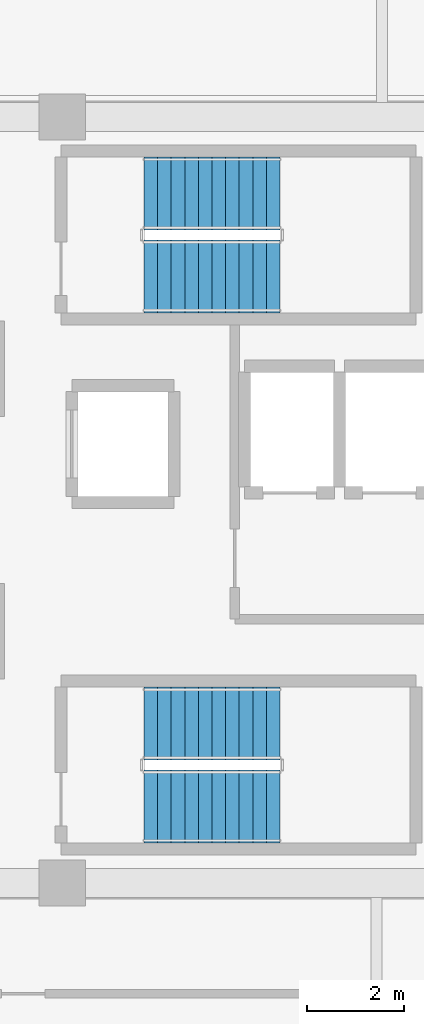
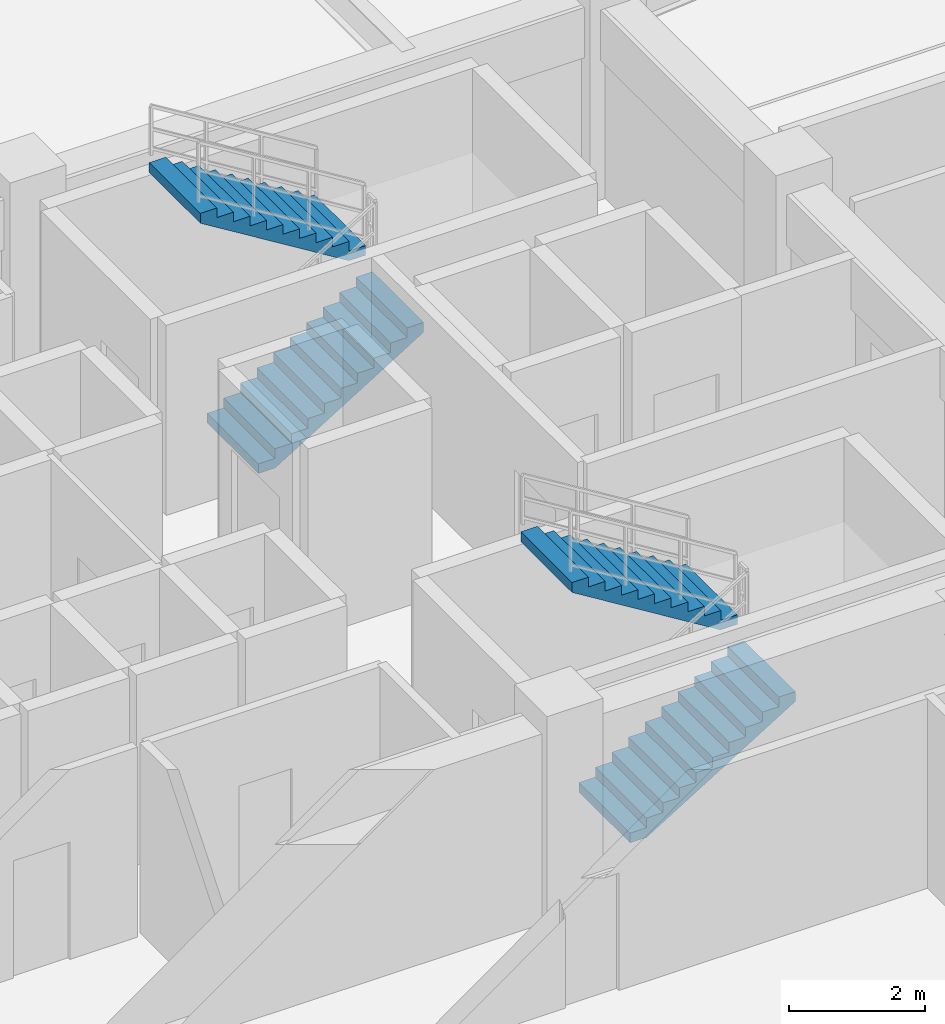
# One storey, part 11 of 14: 4 stair flights, 2 elements without a shape of their own.
"""IFC4 building model written with IfcOpenShell, lengths in metres."""

import ifcopenshell
import ifcopenshell.guid

model = None  # the IFC model being written
_history = None  # IfcOwnerHistory: only IFC2X3 demands one
_inside = {}  # id of a spatial element -> (the spatial element, [elements in it])
_under = {}  # id of a project, library or spatial element -> (it, [spatial elements below it])
_declared = {}  # id of a project -> (the project, [libraries it declares])
_typed = {}  # id of a type object -> (the type object, [elements of that type])
_made_of = {}  # id of a material, layer set ... -> (it, [elements and type objects made of it])


def new_model(schema):
    """Start an empty IFC model of exactly this schema.

    Asked for "IFC4X3", IfcOpenShell would pick the latest addendum, in which some entities
    have other attributes; the version numbers below select the first issue.
    IFC2X3 requires an IfcOwnerHistory on every rooted entity: one is made here for all.
    """
    global model, _history
    if schema == "IFC4X3":
        model = ifcopenshell.file(schema_version=(4, 3, 0, 0))
    else:
        model = ifcopenshell.file(schema=schema)
    _inside.clear()
    _under.clear()
    _declared.clear()
    _typed.clear()
    _made_of.clear()
    _history = None
    if model.schema == "IFC2X3":
        org = make("IfcOrganization", Name="unknown")
        user = make(
            "IfcPersonAndOrganization",
            ThePerson=make("IfcPerson", FamilyName="unknown"),
            TheOrganization=org,
        )
        app = make(
            "IfcApplication",
            ApplicationDeveloper=org,
            Version="unknown",
            ApplicationFullName="unknown",
            ApplicationIdentifier="unknown",
        )
        _history = make(
            "IfcOwnerHistory",
            OwningUser=user,
            OwningApplication=app,
            ChangeAction="ADDED",
            CreationDate=0,
        )
    return model


def make(cls, **values):
    """One entity of the class cls with the attributes given. An attribute that is None is left unset."""
    return model.create_entity(
        cls, **{name: value for name, value in values.items() if value is not None}
    )


def rooted(cls, **values):
    """An entity with a GlobalId (a new one), such as an element, a storey or a relation."""
    return make(cls, GlobalId=ifcopenshell.guid.new(), OwnerHistory=_history, **values)


def si_unit(unit_type, name, prefix=None):
    """IfcSIUnit, for example si_unit("LENGTHUNIT", "METRE", prefix="MILLI")."""
    return make("IfcSIUnit", UnitType=unit_type, Prefix=prefix, Name=name)


def assignment(units):
    """IfcUnitAssignment: the units of a project."""
    return None if units is None else make("IfcUnitAssignment", Units=units)


def point(xyz):
    """IfcCartesianPoint."""
    return None if xyz is None else make("IfcCartesianPoint", Coordinates=xyz)


def direction(xyz):
    """IfcDirection."""
    return None if xyz is None else make("IfcDirection", DirectionRatios=xyz)


def frame(location, z_axis=None, x_axis=None):
    """IfcAxis2Placement3D, a coordinate frame: its origin and axes. An axis left out is left unset."""
    return make(
        "IfcAxis2Placement3D",
        Location=point(location),
        Axis=direction(z_axis),
        RefDirection=direction(x_axis),
    )


def origin():
    """The frame at (0, 0, 0) with its axes left unset."""
    return frame((0.0, 0.0, 0.0))


def place(relative_to, where):
    """IfcLocalPlacement: puts the frame where relative to a parent placement (None: the world)."""
    return make(
        "IfcLocalPlacement", PlacementRelTo=relative_to, RelativePlacement=where
    )


def context(
    kind, dimensions, precision=None, world=None, true_north=None, identifier=None
):
    """IfcGeometricRepresentationContext, for example the 3D "Model" context."""
    return make(
        "IfcGeometricRepresentationContext",
        ContextIdentifier=identifier,
        ContextType=kind,
        CoordinateSpaceDimension=dimensions,
        Precision=precision,
        WorldCoordinateSystem=world,
        TrueNorth=true_north,
    )


def subcontext(parent, identifier, kind, view, scale=None):
    """IfcGeometricRepresentationSubContext, for example "Body" below "Model"."""
    return make(
        "IfcGeometricRepresentationSubContext",
        ContextIdentifier=identifier,
        ContextType=kind,
        ParentContext=parent,
        TargetScale=scale,
        TargetView=view,
    )


def project(units=None, contexts=None):
    """IfcProject with its units and contexts."""
    return rooted(
        "IfcProject",
        Name="project",
        RepresentationContexts=contexts,
        UnitsInContext=assignment(units),
    )


def spatial(cls, under=None, at=None, **own):
    """A site, building, storey or space (cls), placed at a placement, below another one or the project."""
    s = rooted(cls, ObjectPlacement=at, **own)
    if under is not None:
        _under.setdefault(under.id(), (under, []))[1].append(s)
    return s


def polyline(points):
    """IfcPolyline through the points."""
    return make("IfcPolyline", Points=[point(p) for p in points])


def outline(outer, holes=None, kind="AREA"):
    """IfcArbitraryClosedProfileDef: a profile drawn as a closed curve; with holes, ...WithVoids."""
    if holes is None:
        return make("IfcArbitraryClosedProfileDef", ProfileType=kind, OuterCurve=outer)
    return make(
        "IfcArbitraryProfileDefWithVoids",
        ProfileType=kind,
        OuterCurve=outer,
        InnerCurves=holes,
    )


def extrude(swept, where, along, depth):
    """IfcExtrudedAreaSolid: the profile swept, set in the frame where, extruded along a direction by depth."""
    return make(
        "IfcExtrudedAreaSolid",
        SweptArea=swept,
        Position=where,
        ExtrudedDirection=direction(along),
        Depth=depth,
    )


def shape(context_of_items, identifier, shape_type, items):
    """IfcShapeRepresentation: the items that make up one representation, for example the "Body"."""
    return make(
        "IfcShapeRepresentation",
        ContextOfItems=context_of_items,
        RepresentationIdentifier=identifier,
        RepresentationType=shape_type,
        Items=items,
    )


def material(Name=None, Category=None):
    """IfcMaterial."""
    return make("IfcMaterial", Name=Name, Category=Category)


def made_of(thing, what):
    """Note that an element or type object is made of a material, layer set ...; save() writes the relation."""
    if what is not None:
        _made_of.setdefault(what.id(), (what, []))[1].append(thing)
    return thing


def type_object(cls, material=None, **own):
    """A type object (cls), such as IfcWallType, which elements share."""
    return made_of(rooted(cls, **own), material)


def element(
    cls,
    number,
    at=None,
    inside=None,
    cuts=None,
    type_object=None,
    material=None,
    context=None,
    identifier="Body",
    shape_type=None,
    held_by="IfcProductDefinitionShape",
    body=None,
    shapes=None,
    **own,
):
    """One element of the class cls, such as IfcWall. Its Tag is "e" and its number.

    at: its placement. inside: the storey or other place that contains it. cuts: it is an
    opening in that element (IfcRelVoidsElement). A single representation is given by context,
    identifier, shape_type and body (its items); several are given by shapes. held_by: the class
    of the entity that holds the representations. save() writes the other relations.
    """
    e = rooted(cls, Tag="e%d" % number, ObjectPlacement=at, **own)
    if body is not None:
        shapes = [shape(context, identifier, shape_type, body)]
    if shapes is not None:
        e.Representation = make(held_by, Representations=shapes)
    if inside is not None:
        _inside.setdefault(inside.id(), (inside, []))[1].append(e)
    if cuts is not None:
        rooted(
            "IfcRelVoidsElement", RelatingBuildingElement=cuts, RelatedOpeningElement=e
        )
    if type_object is not None:
        _typed.setdefault(type_object.id(), (type_object, []))[1].append(e)
    return made_of(e, material)


def aggregate(whole, parts):
    """IfcRelAggregates: a whole, such as a stair, and the parts it consists of."""
    return rooted("IfcRelAggregates", RelatingObject=whole, RelatedObjects=parts)


def save(model, path):
    """Write the relations noted so far, then the file.

    IfcRelAggregates (storeys below a building ...), IfcRelContainedInSpatialStructure (elements
    in a storey), IfcRelDefinesByType, IfcRelAssociatesMaterial and IfcRelDeclares: one each for
    every whole, place, type object, material and project.
    """
    for whole, parts in _under.values():
        aggregate(whole, parts)
    for where, things in _inside.values():
        rooted(
            "IfcRelContainedInSpatialStructure",
            RelatedElements=things,
            RelatingStructure=where,
        )
    for kind, things in _typed.values():
        rooted("IfcRelDefinesByType", RelatedObjects=things, RelatingType=kind)
    for what, things in _made_of.values():
        rooted("IfcRelAssociatesMaterial", RelatedObjects=things, RelatingMaterial=what)
    for by, libraries in _declared.values():
        rooted("IfcRelDeclares", RelatingContext=by, RelatedDefinitions=libraries)
    model.write(path)


model = new_model("IFC4")

# Units and contexts
model_context = context("Model", 3, precision=1e-05, world=origin(), true_north=direction((0.0, 1.0)))
body_context = subcontext(model_context, "Body", "Model", "MODEL_VIEW")
ifc_project = project(units=[si_unit("LENGTHUNIT", "METRE"), si_unit("AREAUNIT", "SQUARE_METRE"), si_unit("VOLUMEUNIT", "CUBIC_METRE"), si_unit("PLANEANGLEUNIT", "RADIAN"), si_unit("MASSUNIT", "GRAM", prefix="KILO")], contexts=[model_context])

# Site, building, storey
site_placement = place(None, origin())
site = spatial("IfcSite", under=ifc_project, at=site_placement, CompositionType="ELEMENT")
building_placement = place(site_placement, origin())
building = spatial("IfcBuilding", under=site, at=building_placement, Name="Zulverin Broadcast Headquarters", CompositionType="ELEMENT")
storey_placement = place(building_placement, frame((0.0, 0.0, 216.199951171875)))
storey = spatial("IfcBuildingStorey", under=building, at=storey_placement, Name="L55", CompositionType="ELEMENT", Elevation=216.199951171875)

# Stair, stair flights
ifc_material = material(Name="Concrete C40/50", Category="concrete")
stair_type = type_object("IfcStairType", Name="ST-CORE-1500", PredefinedType="HALF_TURN_STAIR", material=ifc_material)
stair_1_placement = place(storey_placement, origin())
stair_1 = element("IfcStair", 1, at=stair_1_placement, inside=storey, type_object=stair_type, Name="L55 Core Exit Stair ST-1", PredefinedType="HALF_TURN_STAIR")
stair_flight_type = type_object("IfcStairFlightType", Name="SF-CORE-1500", PredefinedType="STRAIGHT", material=ifc_material)
stair_flight_1_placement = place(storey_placement, frame((40.1298828125, 29.800048828125, 0.0), z_axis=(0.0, 0.0, 1.0), x_axis=(1.0, 0.0, 0.0)))
stair_flight_1 = element("IfcStairFlight", 2, at=stair_flight_1_placement, type_object=stair_flight_type, Name="ST-1 flight 1", NumberOfRisers=11, NumberOfTreads=10, PredefinedType="STRAIGHT", RiserHeight=0.172727273, TreadLength=0.28, context=body_context, shape_type="SweptSolid", body=[
    extrude(outline(polyline([(0.0, 0.0), (0.0, 0.172607421875), (0.280029296875, 0.172607421875), (0.280029296875, 0.345458984375), (0.56005859375, 0.345458984375), (0.56005859375, 0.51806640625), (0.840087890625, 0.51806640625), (0.840087890625, 0.69091796875), (1.1201171875, 0.69091796875), (1.1201171875, 0.863525390625), (1.39990234375, 0.863525390625), (1.39990234375, 1.036376953125), (1.679931640625, 1.036376953125), (1.679931640625, 1.208984375), (1.9599609375, 1.208984375), (1.9599609375, 1.3818359375), (2.239990234375, 1.3818359375), (2.239990234375, 1.554443359375), (2.52001953125, 1.554443359375), (2.52001953125, 1.727294921875), (2.800048828125, 1.727294921875), (2.800048828125, 1.89990234375), (2.800048828125, 1.551025390625), (0.285400390625, 0.0), (0.0, 0.0)])), frame((0.0, 0.75, 0.0), z_axis=(0.0, -1.0, 0.0), x_axis=(1.0, 0.0, 0.0)), (0.0, 0.0, 1.0), 1.5),
])
stair_flight_2_placement = place(storey_placement, frame((42.929931640625, 31.5, 1.900146484375), z_axis=(0.0, 0.0, 1.0), x_axis=(-1.0, 0.0, 0.0)))
stair_flight_2 = element("IfcStairFlight", 3, at=stair_flight_2_placement, type_object=stair_flight_type, Name="ST-1 flight 2", NumberOfRisers=11, NumberOfTreads=10, PredefinedType="STRAIGHT", RiserHeight=0.172727273, TreadLength=0.28, context=body_context, shape_type="SweptSolid", body=[
    extrude(outline(polyline([(0.0, 0.0), (0.0, 0.172607421875), (0.280029296875, 0.172607421875), (0.280029296875, 0.345458984375), (0.56005859375, 0.345458984375), (0.56005859375, 0.51806640625), (0.840087890625, 0.51806640625), (0.840087890625, 0.69091796875), (1.1201171875, 0.69091796875), (1.1201171875, 0.863525390625), (1.39990234375, 0.863525390625), (1.39990234375, 1.036376953125), (1.679931640625, 1.036376953125), (1.679931640625, 1.208984375), (1.9599609375, 1.208984375), (1.9599609375, 1.3818359375), (2.239990234375, 1.3818359375), (2.239990234375, 1.554443359375), (2.52001953125, 1.554443359375), (2.52001953125, 1.727294921875), (2.800048828125, 1.727294921875), (2.800048828125, 1.89990234375), (2.800048828125, 1.551025390625), (0.285400390625, 0.0), (0.0, 0.0)])), frame((0.0, 0.75, 0.0), z_axis=(0.0, -1.0, 0.0), x_axis=(1.0, 0.0, 0.0)), (0.0, 0.0, 1.0), 1.5),
])
aggregate(stair_1, [stair_flight_1, stair_flight_2])

stair_2_placement = place(storey_placement, origin())
stair_2 = element("IfcStair", 4, at=stair_2_placement, inside=storey, type_object=stair_type, Name="L55 Core Exit Stair ST-2", PredefinedType="HALF_TURN_STAIR")
stair_flight_3_placement = place(storey_placement, frame((40.1298828125, 18.89990234375, 0.0), z_axis=(0.0, 0.0, 1.0), x_axis=(1.0, 0.0, 0.0)))
stair_flight_3 = element("IfcStairFlight", 5, at=stair_flight_3_placement, type_object=stair_flight_type, Name="ST-2 flight 1", NumberOfRisers=11, NumberOfTreads=10, PredefinedType="STRAIGHT", RiserHeight=0.172727273, TreadLength=0.28, context=body_context, shape_type="SweptSolid", body=[
    extrude(outline(polyline([(0.0, 0.0), (0.0, 0.172607421875), (0.280029296875, 0.172607421875), (0.280029296875, 0.345458984375), (0.56005859375, 0.345458984375), (0.56005859375, 0.51806640625), (0.840087890625, 0.51806640625), (0.840087890625, 0.69091796875), (1.1201171875, 0.69091796875), (1.1201171875, 0.863525390625), (1.39990234375, 0.863525390625), (1.39990234375, 1.036376953125), (1.679931640625, 1.036376953125), (1.679931640625, 1.208984375), (1.9599609375, 1.208984375), (1.9599609375, 1.3818359375), (2.239990234375, 1.3818359375), (2.239990234375, 1.554443359375), (2.52001953125, 1.554443359375), (2.52001953125, 1.727294921875), (2.800048828125, 1.727294921875), (2.800048828125, 1.89990234375), (2.800048828125, 1.551025390625), (0.285400390625, 0.0), (0.0, 0.0)])), frame((0.0, 0.75, 0.0), z_axis=(0.0, -1.0, 0.0), x_axis=(1.0, 0.0, 0.0)), (0.0, 0.0, 1.0), 1.5),
])
stair_flight_4_placement = place(storey_placement, frame((42.929931640625, 20.60009765625, 1.900146484375), z_axis=(0.0, 0.0, 1.0), x_axis=(-1.0, 0.0, 0.0)))
stair_flight_4 = element("IfcStairFlight", 6, at=stair_flight_4_placement, type_object=stair_flight_type, Name="ST-2 flight 2", NumberOfRisers=11, NumberOfTreads=10, PredefinedType="STRAIGHT", RiserHeight=0.172727273, TreadLength=0.28, context=body_context, shape_type="SweptSolid", body=[
    extrude(outline(polyline([(0.0, 0.0), (0.0, 0.172607421875), (0.280029296875, 0.172607421875), (0.280029296875, 0.345458984375), (0.56005859375, 0.345458984375), (0.56005859375, 0.51806640625), (0.840087890625, 0.51806640625), (0.840087890625, 0.69091796875), (1.1201171875, 0.69091796875), (1.1201171875, 0.863525390625), (1.39990234375, 0.863525390625), (1.39990234375, 1.036376953125), (1.679931640625, 1.036376953125), (1.679931640625, 1.208984375), (1.9599609375, 1.208984375), (1.9599609375, 1.3818359375), (2.239990234375, 1.3818359375), (2.239990234375, 1.554443359375), (2.52001953125, 1.554443359375), (2.52001953125, 1.727294921875), (2.800048828125, 1.727294921875), (2.800048828125, 1.89990234375), (2.800048828125, 1.551025390625), (0.285400390625, 0.0), (0.0, 0.0)])), frame((0.0, 0.75, 0.0), z_axis=(0.0, -1.0, 0.0), x_axis=(1.0, 0.0, 0.0)), (0.0, 0.0, 1.0), 1.5),
])
aggregate(stair_2, [stair_flight_3, stair_flight_4])

save(model, "model.ifc")
